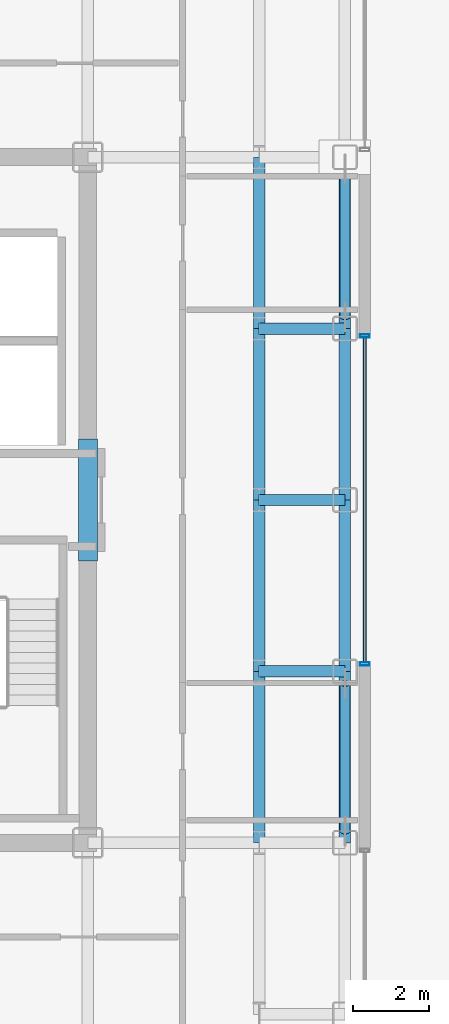
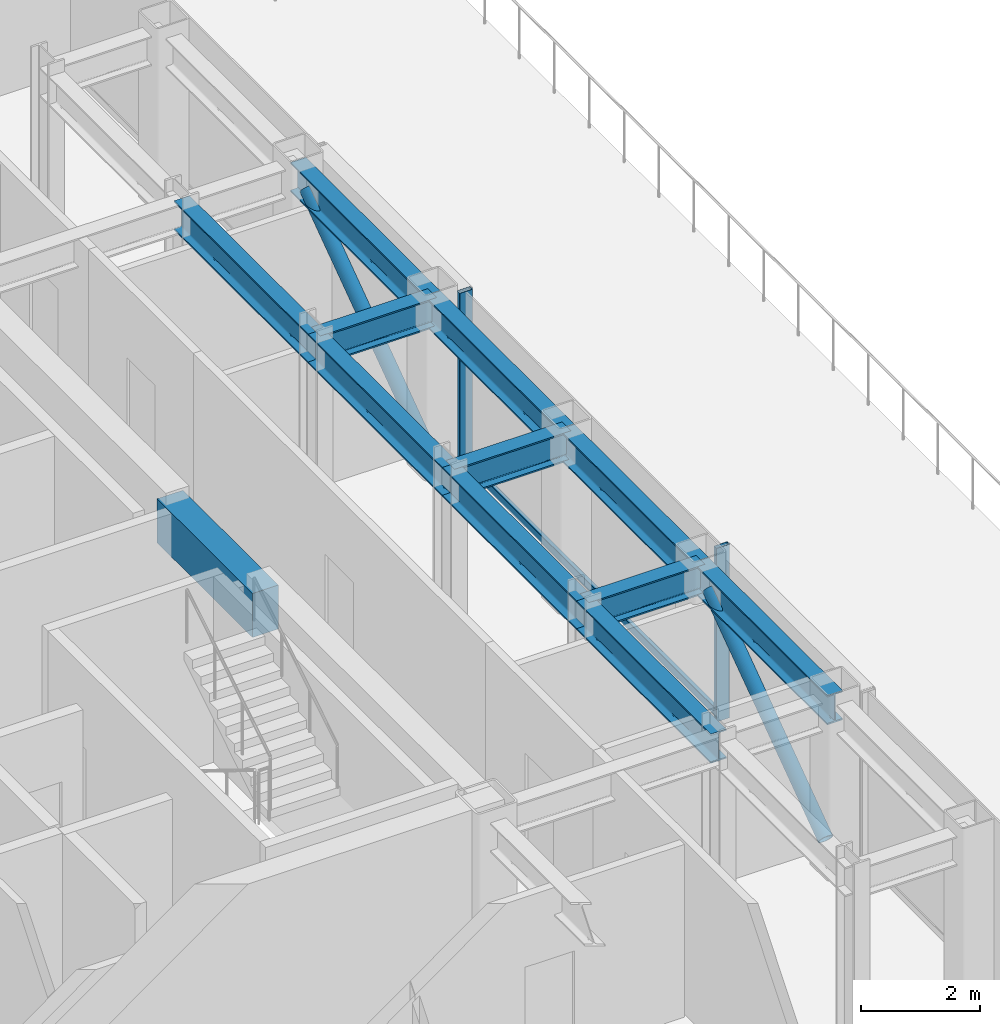
# One storey, part 6 of 17: 12 beams, 5 members, 1 element without a shape of its own.
"""IFC4 building model written with IfcOpenShell, lengths in metres."""

from ifc_helpers import new_model, si_unit, direction, frame, origin, origin_2d, place, context, subcontext, project, spatial, rectangle, hollow_rectangle, hollow_circle, i_section, extrude, source, transform, mapped, material, layer, layer_set, material_profile, profile_set, type_object, element, aggregate, save


model = new_model("IFC4")

# Units and contexts
model_context = context("Model", 3, precision=1e-05, world=origin(), true_north=direction((0.0, 1.0)))
body_context = subcontext(model_context, "Body", "Model", "MODEL_VIEW")
ifc_project = project(units=[si_unit("LENGTHUNIT", "METRE"), si_unit("AREAUNIT", "SQUARE_METRE"), si_unit("VOLUMEUNIT", "CUBIC_METRE"), si_unit("PLANEANGLEUNIT", "RADIAN"), si_unit("MASSUNIT", "GRAM", prefix="KILO")], contexts=[model_context])

# Site, building, storey
site_placement = place(None, origin())
site = spatial("IfcSite", under=ifc_project, at=site_placement, CompositionType="ELEMENT")
building_placement = place(site_placement, origin())
building = spatial("IfcBuilding", under=site, at=building_placement, Name="Nefas-Gora Pilgrimage Tower", CompositionType="ELEMENT")
storey_placement = place(building_placement, frame((0.0, 0.0, 264.60009765625)))
storey = spatial("IfcBuildingStorey", under=building, at=storey_placement, Name="L66", CompositionType="ELEMENT", Elevation=264.60009765625)

# Beams
ifc_material_1 = material(Name="Concrete C50/60", Category="concrete")
ifc_material_profile_1 = material_profile(ifc_material_1, rectangle(XDim=0.5, YDim=0.89990234375, at=origin_2d()), Name="RC 500x900")
ifc_profile_set_1 = profile_set([ifc_material_profile_1], Name="Concrete C50/60")
beam_type_1 = type_object("IfcBeamType", Name="BM-LIN-RC900", PredefinedType="LINTEL", material=ifc_profile_set_1)
shared_shape_1 = source(origin(), body_context, "Body", "SweptSolid", [
    extrude(rectangle(XDim=0.5, YDim=0.89990234375, at=origin_2d()), origin(), (0.0, 0.0, 1.0), 3.2001953125),
])
beam_placement = place(storey_placement, frame((11.25, -1.60009765625, 3.099853515625), z_axis=(0.0, 1.0, 0.0), x_axis=(-1.0, 0.0, 0.0)))
element("IfcBeam", 1, at=beam_placement, inside=storey, type_object=beam_type_1, Name="L66 Core Coupling Lintel Beam E", PredefinedType="LINTEL", context=body_context, shape_type="MappedRepresentation", body=[
    mapped(shared_shape_1, transform((0.0, 0.0, 0.0), x_axis=(1.0, 0.0, 0.0), y_axis=(0.0, 1.0, 0.0), z_axis=(0.0, 0.0, 1.0), scale=1.0)),
])
ifc_material_2 = material(Name="Steel S355", Category="steel")
ifc_material_profile_2 = material_profile(ifc_material_2, i_section(OverallWidth=0.300048828125, OverallDepth=0.60009765625, WebThickness=0.015380859375, FlangeThickness=0.030029296875, FilletRadius=0.027099609375, at=origin_2d()), Name="HEB 600")
ifc_profile_set_2 = profile_set([ifc_material_profile_2], Name="Steel S355")
beam_type_2 = type_object("IfcBeamType", Name="BM-SPN-HEB450", PredefinedType="SPANDREL", material=ifc_profile_set_2)
shared_shape_2 = source(origin(), body_context, "Body", "SweptSolid", [
    extrude(i_section(OverallWidth=0.300048828125, OverallDepth=0.60009765625, WebThickness=0.015380859375, FlangeThickness=0.030029296875, FilletRadius=0.027099609375, at=origin_2d()), origin(), (0.0, 0.0, 1.0), 4.5),
])
for number, where, z_axis, x_axis, name in (
    (2, (18.0, -9.0, 3.25), (0.0, 1.0, 0.0), (-1.0, 0.0, 0.0), "L66 SP-03 beam"),
    (3, (18.0, -4.5, 3.25), (0.0, 1.0, 0.0), (-1.0, 0.0, 0.0), "L66 SP-03 beam"),
    (4, (18.0, 0.0, 3.25), (0.0, 1.0, 0.0), (-1.0, 0.0, 0.0), "L66 SP-03 beam"),
    (5, (18.0, 4.5, 3.25), (0.0, 1.0, 0.0), (-1.0, 0.0, 0.0), "L66 SP-03 beam"),
):
    element("IfcBeam", number, at=place(storey_placement, frame(where, z_axis=z_axis, x_axis=x_axis)), inside=storey, type_object=beam_type_2, Name=name, PredefinedType="SPANDREL", context=body_context, shape_type="MappedRepresentation", body=[
        mapped(shared_shape_2, transform((0.0, 0.0, 0.0), x_axis=(1.0, 0.0, 0.0), y_axis=(0.0, 1.0, 0.0), z_axis=(0.0, 0.0, 1.0), scale=1.0)),
    ])
ifc_material_profile_3 = material_profile(ifc_material_2, i_section(OverallWidth=0.300048828125, OverallDepth=0.60009765625, WebThickness=0.015380859375, FlangeThickness=0.030029296875, FilletRadius=0.027099609375, at=origin_2d()), Name="HEB 600")
ifc_profile_set_3 = profile_set([ifc_material_profile_3], Name="Steel S355")
beam_type_3 = type_object("IfcBeamType", Name="BM-GIR-HEB600", PredefinedType="BEAM", material=ifc_profile_set_3)
shared_shape_3 = source(origin(), body_context, "Body", "SweptSolid", [
    extrude(i_section(OverallWidth=0.300048828125, OverallDepth=0.60009765625, WebThickness=0.015380859375, FlangeThickness=0.030029296875, FilletRadius=0.027099609375, at=origin_2d()), origin(), (0.0, 0.0, 1.0), 4.5),
])
for number, where, z_axis, x_axis, name in (
    (6, (15.75, -9.0, 3.25), (0.0, 1.0, 0.0), (-1.0, 0.0, 0.0), "L66 G-04 beam"),
    (7, (15.75, -4.5, 3.25), (0.0, 1.0, 0.0), (-1.0, 0.0, 0.0), "L66 G-04 beam"),
    (8, (15.75, 0.0, 3.25), (0.0, 1.0, 0.0), (-1.0, 0.0, 0.0), "L66 G-04 beam"),
    (9, (15.75, 4.5, 3.25), (0.0, 1.0, 0.0), (-1.0, 0.0, 0.0), "L66 G-04 beam"),
):
    element("IfcBeam", number, at=place(storey_placement, frame(where, z_axis=z_axis, x_axis=x_axis)), inside=storey, type_object=beam_type_3, Name=name, PredefinedType="BEAM", context=body_context, shape_type="MappedRepresentation", body=[
        mapped(shared_shape_3, transform((0.0, 0.0, 0.0), x_axis=(1.0, 0.0, 0.0), y_axis=(0.0, 1.0, 0.0), z_axis=(0.0, 0.0, 1.0), scale=1.0)),
    ])
shared_shape_4 = source(origin(), body_context, "Body", "SweptSolid", [
    extrude(i_section(OverallWidth=0.300048828125, OverallDepth=0.60009765625, WebThickness=0.015380859375, FlangeThickness=0.030029296875, FilletRadius=0.027099609375, at=origin_2d()), origin(), (0.0, 0.0, 1.0), 2.25),
])
for number, where, z_axis, x_axis, name in (
    (10, (15.75, -4.5, 3.25), (1.0, 0.0, 0.0), (0.0, 1.0, 0.0), "L66 G-04 beam"),
    (11, (15.75, 0.0, 3.25), (1.0, 0.0, 0.0), (0.0, 1.0, 0.0), "L66 G-04 beam"),
    (12, (15.75, 4.5, 3.25), (1.0, 0.0, 0.0), (0.0, 1.0, 0.0), "L66 G-04 beam"),
):
    element("IfcBeam", number, at=place(storey_placement, frame(where, z_axis=z_axis, x_axis=x_axis)), inside=storey, type_object=beam_type_3, Name=name, PredefinedType="BEAM", context=body_context, shape_type="MappedRepresentation", body=[
        mapped(shared_shape_4, transform((0.0, 0.0, 0.0), x_axis=(1.0, 0.0, 0.0), y_axis=(0.0, 1.0, 0.0), z_axis=(0.0, 0.0, 1.0), scale=1.0)),
    ])

# Members
ifc_material_profile_4 = material_profile(ifc_material_2, hollow_circle(Radius=0.136474609375, WallThickness=0.01611328125, at=origin_2d()), Name="CHS 273x16")
ifc_profile_set_4 = profile_set([ifc_material_profile_4], Name="Steel S355")
member_type_1 = type_object("IfcMemberType", Name="MEM-TUBE-273", PredefinedType="BRACE", material=ifc_profile_set_4)
shared_shape_5 = source(origin(), body_context, "Body", "SweptSolid", [
    extrude(hollow_circle(Radius=0.136474609375, WallThickness=0.01611328125, at=origin_2d()), origin(), (0.0, 0.0, 1.0), 4.763671875),
])
for number, where, z_axis, x_axis, name in (
    (13, (18.0, -8.68701171875, 0.3740234375), (0.0, 0.813255312614, 0.581907034246), (-1.0, 0.0, 0.0), "L66 Perimeter Tube Diagonal Brace E1"),
    (14, (18.0, 4.81298828125, 0.3740234375), (0.0, 0.813255312614, 0.581907034246), (-1.0, 0.0, 0.0), "L66 Perimeter Tube Diagonal Brace E2"),
):
    element("IfcMember", number, at=place(storey_placement, frame(where, z_axis=z_axis, x_axis=x_axis)), inside=storey, type_object=member_type_1, Name=name, PredefinedType="BRACE", context=body_context, shape_type="MappedRepresentation", body=[
        mapped(shared_shape_5, transform((0.0, 0.0, 0.0), x_axis=(1.0, 0.0, 0.0), y_axis=(0.0, 1.0, 0.0), z_axis=(0.0, 0.0, 1.0), scale=1.0)),
    ])

# Curtain wall, members
ifc_material_3 = material(Name="Dark ceramic-fritted solar-control aluminium-glass curtain wall", Category="aluminium")
ifc_layer = layer(ifc_material_3, 0.219970703125)
ifc_layer_set = layer_set([ifc_layer], Name="Dark ceramic-fritted solar-control aluminium-glass curtain wall")
curtain_wall_type = type_object("IfcCurtainWallType", Name="CW-SYS-4", PredefinedType="NOTDEFINED", material=ifc_layer_set)
curtain_wall_placement = place(storey_placement, origin())
curtain_wall = element("IfcCurtainWall", 15, at=curtain_wall_placement, inside=storey, type_object=curtain_wall_type, Name="L66 Unitised Curtain Wall CW4", PredefinedType="NOTDEFINED")
ifc_material_4 = material(Name="Anodised architectural aluminium", Category="aluminium")
ifc_material_profile_5 = material_profile(ifc_material_4, hollow_rectangle(XDim=0.090087890625, YDim=0.260009765625, WallThickness=0.006103515625, InnerFilletRadius=0.006103515625, OuterFilletRadius=0.011962890625, at=origin_2d()), Name="ALU MULLION 90x260")
ifc_profile_set_5 = profile_set([ifc_material_profile_5], Name="Anodised architectural aluminium")
member_type_2 = type_object("IfcMemberType", Name="CWM-MUL-4", PredefinedType="MULLION", material=ifc_profile_set_5)
shared_shape_6 = source(origin(), body_context, "Body", "SweptSolid", [
    extrude(hollow_rectangle(XDim=0.090087890625, YDim=0.260009765625, WallThickness=0.006103515625, InnerFilletRadius=0.006103515625, OuterFilletRadius=0.011962890625, at=origin_2d()), origin(), (0.0, 0.0, 1.0), 3.5498046875),
])
member_1_placement = place(storey_placement, frame((18.52001953125, -4.304931640625, 0.0), z_axis=(0.0, 0.0, 1.0), x_axis=(0.0, 1.0, 0.0)))
member_1 = element("IfcMember", 16, at=member_1_placement, type_object=member_type_2, Name="CW4 Mullion 1", PredefinedType="MULLION", context=body_context, shape_type="MappedRepresentation", body=[
    mapped(shared_shape_6, transform((0.0, 0.0, 0.0), x_axis=(1.0, 0.0, 0.0), y_axis=(0.0, 1.0, 0.0), z_axis=(0.0, 0.0, 1.0), scale=1.0)),
])
member_2_placement = place(storey_placement, frame((18.52001953125, 4.304931640625, 0.0), z_axis=(0.0, 0.0, 1.0), x_axis=(0.0, 1.0, 0.0)))
member_2 = element("IfcMember", 17, at=member_2_placement, type_object=member_type_2, Name="CW4 Mullion 2", PredefinedType="MULLION", context=body_context, shape_type="MappedRepresentation", body=[
    mapped(shared_shape_6, transform((0.0, 0.0, 0.0), x_axis=(1.0, 0.0, 0.0), y_axis=(0.0, 1.0, 0.0), z_axis=(0.0, 0.0, 1.0), scale=1.0)),
])
ifc_material_profile_6 = material_profile(ifc_material_4, hollow_rectangle(XDim=0.080078125, YDim=0.159912109375, WallThickness=0.00439453125, InnerFilletRadius=0.00439453125, OuterFilletRadius=0.009033203125, at=origin_2d()), Name="ALU TRANSOM 80x160")
ifc_profile_set_6 = profile_set([ifc_material_profile_6], Name="Anodised architectural aluminium")
member_type_3 = type_object("IfcMemberType", Name="CWM-TRN-4", PredefinedType="USERDEFINED", material=ifc_profile_set_6)
shared_shape_7 = source(origin(), body_context, "Body", "SweptSolid", [
    extrude(hollow_rectangle(XDim=0.080078125, YDim=0.159912109375, WallThickness=0.00439453125, InnerFilletRadius=0.00439453125, OuterFilletRadius=0.009033203125, at=origin_2d()), origin(), (0.0, 0.0, 1.0), 8.52001953125),
])
member_3_placement = place(storey_placement, frame((18.52001953125, -4.260009765625, 0.0498046875), z_axis=(0.0, 1.0, 0.0), x_axis=(-1.0, 0.0, 0.0)))
member_3 = element("IfcMember", 18, at=member_3_placement, type_object=member_type_3, Name="CW4 Spandrel Transom", ObjectType="TRANSOM", PredefinedType="USERDEFINED", context=body_context, shape_type="MappedRepresentation", body=[
    mapped(shared_shape_7, transform((0.0, 0.0, 0.0), x_axis=(1.0, 0.0, 0.0), y_axis=(0.0, 1.0, 0.0), z_axis=(0.0, 0.0, 1.0), scale=1.0)),
])
aggregate(curtain_wall, [member_1, member_2, member_3])

save(model, "model.ifc")
